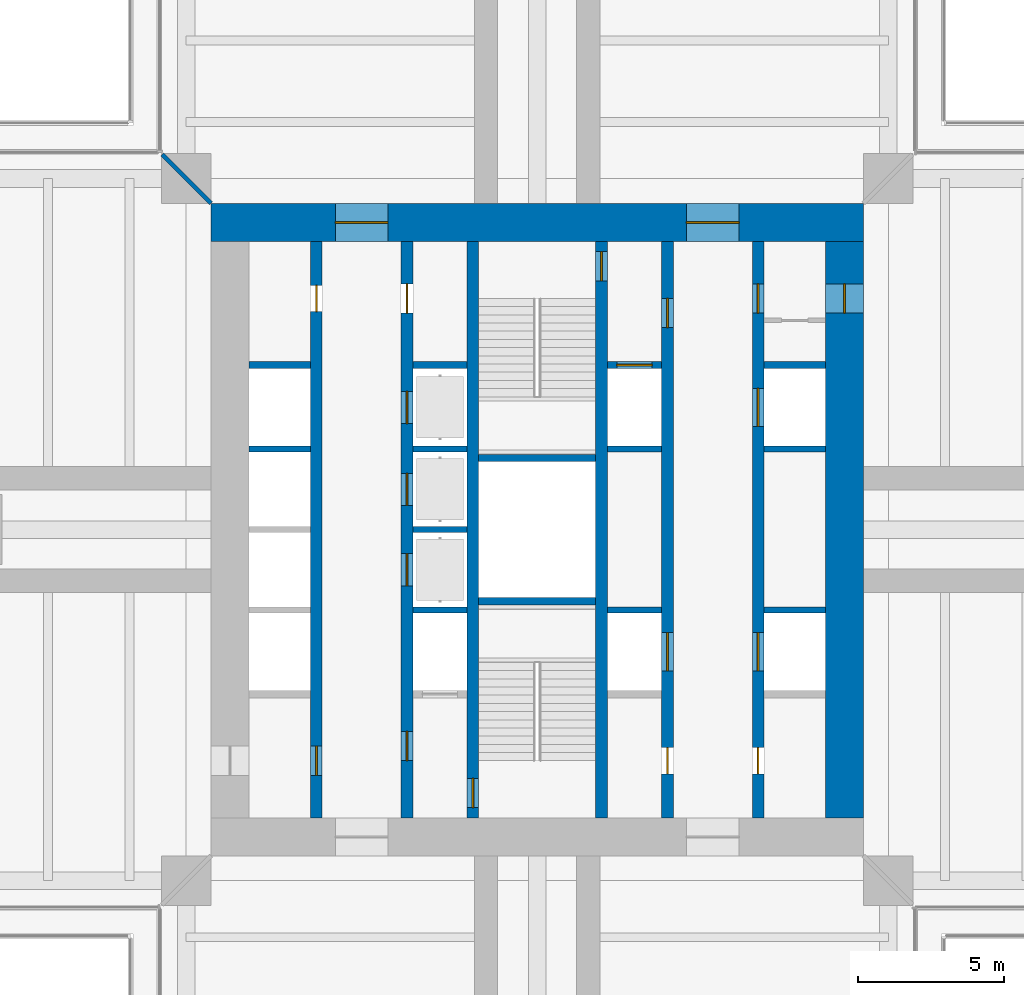
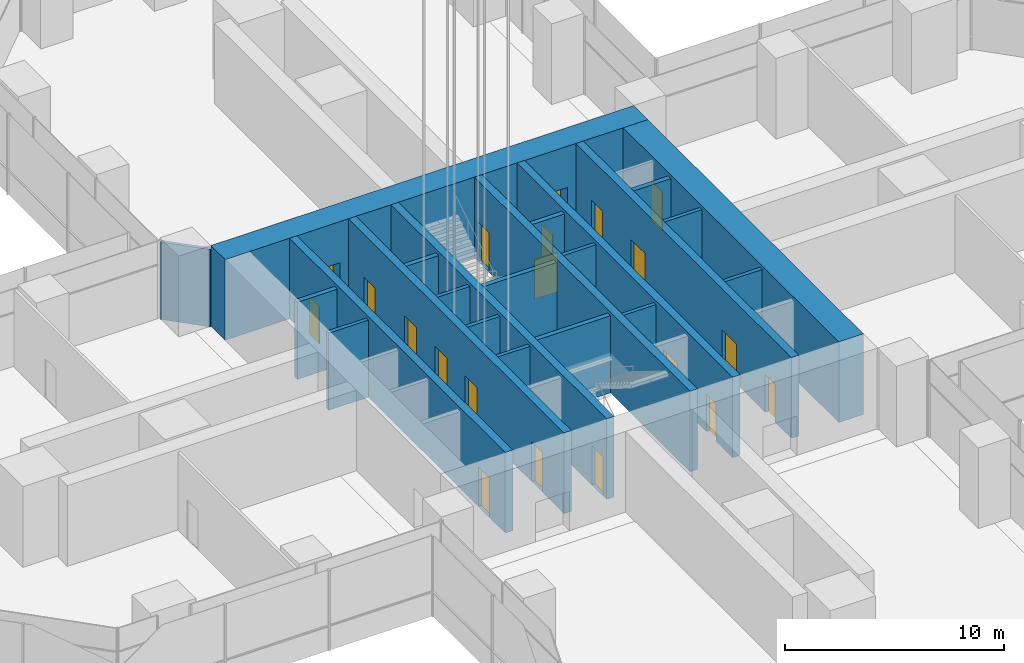
# One storey, part 17 of 27: 23 walls, 20 doors, 20 openings.
"""IFC4 building model written with IfcOpenShell, lengths in metres."""

from ifc_helpers import new_model, si_unit, direction, frame, frame_2d, origin, place, context, subcontext, project, spatial, rectangle, extrude, material, layer, layer_set, type_object, element, fill, save


model = new_model("IFC4")

# Units and contexts
model_context = context("Model", 3, precision=1e-05, world=origin(), true_north=direction((0.0, 1.0)))
body_context = subcontext(model_context, "Body", "Model", "MODEL_VIEW")
ifc_project = project(units=[si_unit("LENGTHUNIT", "METRE"), si_unit("AREAUNIT", "SQUARE_METRE"), si_unit("VOLUMEUNIT", "CUBIC_METRE"), si_unit("PLANEANGLEUNIT", "RADIAN"), si_unit("MASSUNIT", "GRAM", prefix="KILO")], contexts=[model_context])

# Site, building, storey
site_placement = place(None, origin())
site = spatial("IfcSite", under=ifc_project, at=site_placement, CompositionType="ELEMENT")
building_placement = place(site_placement, origin())
building = spatial("IfcBuilding", under=site, at=building_placement, Name="Mizan Broadcast Tower", CompositionType="ELEMENT")
storey_placement = place(building_placement, frame((0.0, 0.0, 113.699951171875)))
storey = spatial("IfcBuildingStorey", under=building, at=storey_placement, Name="L25", CompositionType="ELEMENT", Elevation=113.699951171875)

# Wall, openings, doors
ifc_material_1 = material(Name="Concrete C70/85", Category="concrete")
ifc_layer_1 = layer(ifc_material_1, 0.39990234375)
ifc_layer_set_1 = layer_set([ifc_layer_1], Name="Concrete C70/85")
wall_type_1 = type_object("IfcWallType", Name="CORE INTERNAL WALL 400", PredefinedType="SHEAR", material=ifc_layer_set_1)
wall_1_placement = place(storey_placement, frame((-7.550048828125, -9.85009765625, 0.0), z_axis=(0.0, 0.0, 1.0), x_axis=(0.0, 1.0, 0.0)))
wall_1 = element("IfcWall", 1, at=wall_1_placement, inside=storey, type_object=wall_type_1, Name="Core wall CORE/XW1", PredefinedType="SHEAR", context=body_context, shape_type="SweptSolid", body=[
    extrude(rectangle(XDim=19.7001953125, YDim=0.39990234375, at=frame_2d((9.85009765625, 0.0))), origin(), (0.0, 0.0, 1.0), 4.5),
])
opening_1_placement = place(wall_1_placement, frame((1.449951171875, 0.0, 0.0)))
opening_1 = element("IfcOpeningElement", 2, at=opening_1_placement, cuts=wall_1, Name="Opening D10F", PredefinedType="OPENING", context=body_context, shape_type="SweptSolid", body=[
    extrude(rectangle(XDim=1.0, YDim=2.199951171875, at=frame_2d((0.5, 1.10009765625))), frame((0.0, 0.2099609375, 0.0), z_axis=(0.0, -1.0, 0.0), x_axis=(1.0, 0.0, 0.0)), (0.0, 0.0, 1.0), 0.419921875),
])
opening_2_placement = place(wall_1_placement, frame((17.300048828125, 0.0, 0.0)))
opening_2 = element("IfcOpeningElement", 3, at=opening_2_placement, cuts=wall_1, Name="Opening D09", PredefinedType="OPENING", context=body_context, shape_type="SweptSolid", body=[
    extrude(rectangle(XDim=0.89990234375, YDim=2.10009765625, at=frame_2d((0.449951171875, 1.050048828125))), frame((0.0, 0.2099609375, 0.0), z_axis=(0.0, -1.0, 0.0), x_axis=(1.0, 0.0, 0.0)), (0.0, 0.0, 1.0), 0.419921875),
])
ifc_material_2 = material(Name="Steel door leaf in steel frame", Category="steel")
door_type_1 = type_object("IfcDoorType", Name="FIRE DOOR 1000 FD90", OperationType="SINGLE_SWING_LEFT", PredefinedType="DOOR", material=ifc_material_2)
door_1_placement = place(opening_1_placement, origin())
door_1 = element("IfcDoor", 4, at=door_1_placement, inside=storey, type_object=door_type_1, Name="West core passage door", OperationType="SINGLE_SWING_LEFT", OverallHeight=2.199951171875, OverallWidth=1.0, PredefinedType="DOOR", context=body_context, shape_type="SweptSolid", body=[
    extrude(rectangle(XDim=1.0, YDim=2.199951171875, at=frame_2d((0.5, 1.10009765625))), frame((0.0, 0.02490234375, 0.0), z_axis=(0.0, -1.0, 0.0), x_axis=(1.0, 0.0, 0.0)), (0.0, 0.0, 1.0), 0.050048828125),
])
fill(opening_1, door_1)
ifc_material_3 = material(Name="Timber door leaf in aluminium frame", Category="wood")
door_type_2 = type_object("IfcDoorType", Name="TOILET DOOR 900", OperationType="SINGLE_SWING_LEFT", PredefinedType="DOOR", material=ifc_material_3)
door_2_placement = place(opening_2_placement, origin())
door_2 = element("IfcDoor", 5, at=door_2_placement, inside=storey, type_object=door_type_2, Name="Male WC door", OperationType="SINGLE_SWING_RIGHT", OverallHeight=2.10009765625, OverallWidth=0.89990234375, PredefinedType="DOOR", context=body_context, shape_type="SweptSolid", body=[
    extrude(rectangle(XDim=0.89990234375, YDim=2.10009765625, at=frame_2d((0.449951171875, 1.050048828125))), frame((0.0, 0.02490234375, 0.0), z_axis=(0.0, -1.0, 0.0), x_axis=(1.0, 0.0, 0.0)), (0.0, 0.0, 1.0), 0.050048828125),
])
fill(opening_2, door_2)

wall_2_placement = place(storey_placement, frame((7.550048828125, 9.85009765625, 0.0), z_axis=(0.0, 0.0, 1.0), x_axis=(0.0, -1.0, 0.0)))
wall_2 = element("IfcWall", 6, at=wall_2_placement, inside=storey, type_object=wall_type_1, Name="Core wall CORE/XW1E", PredefinedType="SHEAR", context=body_context, shape_type="SweptSolid", body=[
    extrude(rectangle(XDim=19.7001953125, YDim=0.39990234375, at=frame_2d((9.85009765625, 0.0))), origin(), (0.0, 0.0, 1.0), 4.5),
])
opening_3_placement = place(wall_2_placement, frame((1.449951171875, 0.0, 0.0)))
opening_3 = element("IfcOpeningElement", 7, at=opening_3_placement, cuts=wall_2, Name="Opening D10F", PredefinedType="OPENING", context=body_context, shape_type="SweptSolid", body=[
    extrude(rectangle(XDim=1.0, YDim=2.199951171875, at=frame_2d((0.5, 1.10009765625))), frame((0.0, 0.2099609375, 0.0), z_axis=(0.0, -1.0, 0.0), x_axis=(1.0, 0.0, 0.0)), (0.0, 0.0, 1.0), 0.419921875),
])
opening_4_placement = place(wall_2_placement, frame((17.300048828125, 0.0, 0.0)))
opening_4 = element("IfcOpeningElement", 8, at=opening_4_placement, cuts=wall_2, Name="Opening D09", PredefinedType="OPENING", context=body_context, shape_type="SweptSolid", body=[
    extrude(rectangle(XDim=0.89990234375, YDim=2.10009765625, at=frame_2d((0.449951171875, 1.050048828125))), frame((0.0, 0.2099609375, 0.0), z_axis=(0.0, -1.0, 0.0), x_axis=(1.0, 0.0, 0.0)), (0.0, 0.0, 1.0), 0.419921875),
])
opening_5_placement = place(wall_2_placement, frame((5.02490234375, 0.0, 0.0)))
opening_5 = element("IfcOpeningElement", 9, at=opening_5_placement, cuts=wall_2, Name="Opening LDS", PredefinedType="OPENING", context=body_context, shape_type="SweptSolid", body=[
    extrude(rectangle(XDim=1.300048828125, YDim=2.199951171875, at=frame_2d((0.64990234375, 1.10009765625))), frame((0.0, 0.2099609375, 0.0), z_axis=(0.0, -1.0, 0.0), x_axis=(1.0, 0.0, 0.0)), (0.0, 0.0, 1.0), 0.419921875),
])
opening_6_placement = place(wall_2_placement, frame((13.375, 0.0, 0.0)))
opening_6 = element("IfcOpeningElement", 10, at=opening_6_placement, cuts=wall_2, Name="Opening LDS", PredefinedType="OPENING", context=body_context, shape_type="SweptSolid", body=[
    extrude(rectangle(XDim=1.300048828125, YDim=2.199951171875, at=frame_2d((0.64990234375, 1.10009765625))), frame((0.0, 0.2099609375, 0.0), z_axis=(0.0, -1.0, 0.0), x_axis=(1.0, 0.0, 0.0)), (0.0, 0.0, 1.0), 0.419921875),
])
door_3_placement = place(opening_3_placement, origin())
door_3 = element("IfcDoor", 11, at=door_3_placement, inside=storey, type_object=door_type_1, Name="East core passage door", OperationType="SINGLE_SWING_LEFT", OverallHeight=2.199951171875, OverallWidth=1.0, PredefinedType="DOOR", context=body_context, shape_type="SweptSolid", body=[
    extrude(rectangle(XDim=1.0, YDim=2.199951171875, at=frame_2d((0.5, 1.10009765625))), frame((0.0, 0.02490234375, 0.0), z_axis=(0.0, -1.0, 0.0), x_axis=(1.0, 0.0, 0.0)), (0.0, 0.0, 1.0), 0.050048828125),
])
fill(opening_3, door_3)
ifc_material_4 = material(Name="Steel door leaf in steel frame", Category="steel")
door_type_3 = type_object("IfcDoorType", Name="SHUTTLE LIFT LANDING DOOR 1300", OperationType="SLIDING_TO_LEFT", PredefinedType="DOOR", material=ifc_material_4)
door_4_placement = place(opening_5_placement, origin())
door_4 = element("IfcDoor", 12, at=door_4_placement, inside=storey, type_object=door_type_3, Name="Landing door SH1", OperationType="SLIDING_TO_LEFT", OverallHeight=2.199951171875, OverallWidth=1.300048828125, PredefinedType="DOOR", context=body_context, shape_type="SweptSolid", body=[
    extrude(rectangle(XDim=1.300048828125, YDim=2.199951171875, at=frame_2d((0.64990234375, 1.10009765625))), frame((0.0, 0.02490234375, 0.0), z_axis=(0.0, -1.0, 0.0), x_axis=(1.0, 0.0, 0.0)), (0.0, 0.0, 1.0), 0.050048828125),
])
fill(opening_5, door_4)
door_5_placement = place(opening_6_placement, origin())
door_5 = element("IfcDoor", 13, at=door_5_placement, inside=storey, type_object=door_type_3, Name="Landing door SH2", OperationType="SLIDING_TO_LEFT", OverallHeight=2.199951171875, OverallWidth=1.300048828125, PredefinedType="DOOR", context=body_context, shape_type="SweptSolid", body=[
    extrude(rectangle(XDim=1.300048828125, YDim=2.199951171875, at=frame_2d((0.64990234375, 1.10009765625))), frame((0.0, 0.02490234375, 0.0), z_axis=(0.0, -1.0, 0.0), x_axis=(1.0, 0.0, 0.0)), (0.0, 0.0, 1.0), 0.050048828125),
])
fill(opening_6, door_5)
door_6_placement = place(opening_4_placement, origin())
door_6 = element("IfcDoor", 14, at=door_6_placement, inside=storey, type_object=door_type_2, Name="Female WC door", OperationType="SINGLE_SWING_RIGHT", OverallHeight=2.10009765625, OverallWidth=0.89990234375, PredefinedType="DOOR", context=body_context, shape_type="SweptSolid", body=[
    extrude(rectangle(XDim=0.89990234375, YDim=2.10009765625, at=frame_2d((0.449951171875, 1.050048828125))), frame((0.0, 0.02490234375, 0.0), z_axis=(0.0, -1.0, 0.0), x_axis=(1.0, 0.0, 0.0)), (0.0, 0.0, 1.0), 0.050048828125),
])
fill(opening_4, door_6)

wall_3_placement = place(storey_placement, frame((-4.449951171875, -9.85009765625, 0.0), z_axis=(0.0, 0.0, 1.0), x_axis=(0.0, 1.0, 0.0)))
wall_3 = element("IfcWall", 15, at=wall_3_placement, inside=storey, type_object=wall_type_1, Name="Core wall CORE/XWH", PredefinedType="SHEAR", context=body_context, shape_type="SweptSolid", body=[
    extrude(rectangle(XDim=19.7001953125, YDim=0.39990234375, at=frame_2d((9.85009765625, 0.0))), origin(), (0.0, 0.0, 1.0), 4.5),
])
opening_7_placement = place(wall_3_placement, frame((1.949951171875, 0.0, 0.0)))
opening_7 = element("IfcOpeningElement", 16, at=opening_7_placement, cuts=wall_3, Name="Opening D10F", PredefinedType="OPENING", context=body_context, shape_type="SweptSolid", body=[
    extrude(rectangle(XDim=1.0, YDim=2.199951171875, at=frame_2d((0.5, 1.10009765625))), frame((0.0, 0.2099609375, 0.0), z_axis=(0.0, -1.0, 0.0), x_axis=(1.0, 0.0, 0.0)), (0.0, 0.0, 1.0), 0.419921875),
])
opening_8_placement = place(wall_3_placement, frame((17.25, 0.0, 0.0)))
opening_8 = element("IfcOpeningElement", 17, at=opening_8_placement, cuts=wall_3, Name="Opening D10A", PredefinedType="OPENING", context=body_context, shape_type="SweptSolid", body=[
    extrude(rectangle(XDim=1.0, YDim=2.10009765625, at=frame_2d((0.5, 1.050048828125))), frame((0.0, 0.2099609375, 0.0), z_axis=(0.0, -1.0, 0.0), x_axis=(1.0, 0.0, 0.0)), (0.0, 0.0, 1.0), 0.419921875),
])
opening_9_placement = place(wall_3_placement, frame((7.925048828125, 0.0, 0.0)))
opening_9 = element("IfcOpeningElement", 18, at=opening_9_placement, cuts=wall_3, Name="Opening LD", PredefinedType="OPENING", context=body_context, shape_type="SweptSolid", body=[
    extrude(rectangle(XDim=1.10009765625, YDim=2.199951171875, at=frame_2d((0.550048828125, 1.10009765625))), frame((0.0, 0.2099609375, 0.0), z_axis=(0.0, -1.0, 0.0), x_axis=(1.0, 0.0, 0.0)), (0.0, 0.0, 1.0), 0.419921875),
])
opening_10_placement = place(wall_3_placement, frame((10.675048828125, 0.0, 0.0)))
opening_10 = element("IfcOpeningElement", 19, at=opening_10_placement, cuts=wall_3, Name="Opening LD", PredefinedType="OPENING", context=body_context, shape_type="SweptSolid", body=[
    extrude(rectangle(XDim=1.10009765625, YDim=2.199951171875, at=frame_2d((0.550048828125, 1.10009765625))), frame((0.0, 0.2099609375, 0.0), z_axis=(0.0, -1.0, 0.0), x_axis=(1.0, 0.0, 0.0)), (0.0, 0.0, 1.0), 0.419921875),
])
opening_11_placement = place(wall_3_placement, frame((13.47509765625, 0.0, 0.0)))
opening_11 = element("IfcOpeningElement", 20, at=opening_11_placement, cuts=wall_3, Name="Opening LD", PredefinedType="OPENING", context=body_context, shape_type="SweptSolid", body=[
    extrude(rectangle(XDim=1.10009765625, YDim=2.199951171875, at=frame_2d((0.550048828125, 1.10009765625))), frame((0.0, 0.2099609375, 0.0), z_axis=(0.0, -1.0, 0.0), x_axis=(1.0, 0.0, 0.0)), (0.0, 0.0, 1.0), 0.419921875),
])
ifc_material_5 = material(Name="Timber door leaf in aluminium frame", Category="wood")
door_type_4 = type_object("IfcDoorType", Name="ACCESSIBLE WC DOOR 1000", OperationType="SLIDING_TO_LEFT", PredefinedType="DOOR", material=ifc_material_5)
door_7_placement = place(opening_8_placement, origin())
door_7 = element("IfcDoor", 21, at=door_7_placement, inside=storey, type_object=door_type_4, Name="Accessible WC door", OperationType="SLIDING_TO_LEFT", OverallHeight=2.10009765625, OverallWidth=1.0, PredefinedType="DOOR", context=body_context, shape_type="SweptSolid", body=[
    extrude(rectangle(XDim=1.0, YDim=2.10009765625, at=frame_2d((0.5, 1.050048828125))), frame((0.0, 0.02490234375, 0.0), z_axis=(0.0, -1.0, 0.0), x_axis=(1.0, 0.0, 0.0)), (0.0, 0.0, 1.0), 0.050048828125),
])
fill(opening_8, door_7)
door_8_placement = place(opening_7_placement, origin())
door_8 = element("IfcDoor", 22, at=door_8_placement, inside=storey, type_object=door_type_1, Name="Firefighting lobby A door", OperationType="SINGLE_SWING_LEFT", OverallHeight=2.199951171875, OverallWidth=1.0, PredefinedType="DOOR", context=body_context, shape_type="SweptSolid", body=[
    extrude(rectangle(XDim=1.0, YDim=2.199951171875, at=frame_2d((0.5, 1.10009765625))), frame((0.0, 0.02490234375, 0.0), z_axis=(0.0, -1.0, 0.0), x_axis=(1.0, 0.0, 0.0)), (0.0, 0.0, 1.0), 0.050048828125),
])
fill(opening_7, door_8)
ifc_material_6 = material(Name="Steel door leaf in steel frame", Category="steel")
door_type_5 = type_object("IfcDoorType", Name="LIFT LANDING DOOR 1100", OperationType="SLIDING_TO_LEFT", PredefinedType="DOOR", material=ifc_material_6)
door_9_placement = place(opening_9_placement, origin())
door_9 = element("IfcDoor", 23, at=door_9_placement, inside=storey, type_object=door_type_5, Name="Landing door LB1", OperationType="SLIDING_TO_LEFT", OverallHeight=2.199951171875, OverallWidth=1.10009765625, PredefinedType="DOOR", context=body_context, shape_type="SweptSolid", body=[
    extrude(rectangle(XDim=1.10009765625, YDim=2.199951171875, at=frame_2d((0.550048828125, 1.10009765625))), frame((0.0, 0.02490234375, 0.0), z_axis=(0.0, -1.0, 0.0), x_axis=(1.0, 0.0, 0.0)), (0.0, 0.0, 1.0), 0.050048828125),
])
fill(opening_9, door_9)
door_10_placement = place(opening_10_placement, origin())
door_10 = element("IfcDoor", 24, at=door_10_placement, inside=storey, type_object=door_type_5, Name="Landing door LB2", OperationType="SLIDING_TO_LEFT", OverallHeight=2.199951171875, OverallWidth=1.10009765625, PredefinedType="DOOR", context=body_context, shape_type="SweptSolid", body=[
    extrude(rectangle(XDim=1.10009765625, YDim=2.199951171875, at=frame_2d((0.550048828125, 1.10009765625))), frame((0.0, 0.02490234375, 0.0), z_axis=(0.0, -1.0, 0.0), x_axis=(1.0, 0.0, 0.0)), (0.0, 0.0, 1.0), 0.050048828125),
])
fill(opening_10, door_10)
door_11_placement = place(opening_11_placement, origin())
door_11 = element("IfcDoor", 25, at=door_11_placement, inside=storey, type_object=door_type_5, Name="Landing door LB3", OperationType="SLIDING_TO_LEFT", OverallHeight=2.199951171875, OverallWidth=1.10009765625, PredefinedType="DOOR", context=body_context, shape_type="SweptSolid", body=[
    extrude(rectangle(XDim=1.10009765625, YDim=2.199951171875, at=frame_2d((0.550048828125, 1.10009765625))), frame((0.0, 0.02490234375, 0.0), z_axis=(0.0, -1.0, 0.0), x_axis=(1.0, 0.0, 0.0)), (0.0, 0.0, 1.0), 0.050048828125),
])
fill(opening_11, door_11)

wall_4_placement = place(storey_placement, frame((4.449951171875, 9.85009765625, 0.0), z_axis=(0.0, 0.0, 1.0), x_axis=(0.0, -1.0, 0.0)))
wall_4 = element("IfcWall", 26, at=wall_4_placement, inside=storey, type_object=wall_type_1, Name="Core wall CORE/XWHE", PredefinedType="SHEAR", context=body_context, shape_type="SweptSolid", body=[
    extrude(rectangle(XDim=19.7001953125, YDim=0.39990234375, at=frame_2d((9.85009765625, 0.0))), origin(), (0.0, 0.0, 1.0), 4.5),
])
opening_12_placement = place(wall_4_placement, frame((1.949951171875, 0.0, 0.0)))
opening_12 = element("IfcOpeningElement", 27, at=opening_12_placement, cuts=wall_4, Name="Opening D10F", PredefinedType="OPENING", context=body_context, shape_type="SweptSolid", body=[
    extrude(rectangle(XDim=1.0, YDim=2.199951171875, at=frame_2d((0.5, 1.10009765625))), frame((0.0, 0.2099609375, 0.0), z_axis=(0.0, -1.0, 0.0), x_axis=(1.0, 0.0, 0.0)), (0.0, 0.0, 1.0), 0.419921875),
])
opening_13_placement = place(wall_4_placement, frame((17.300048828125, 0.0, 0.0)))
opening_13 = element("IfcOpeningElement", 28, at=opening_13_placement, cuts=wall_4, Name="Opening D09", PredefinedType="OPENING", context=body_context, shape_type="SweptSolid", body=[
    extrude(rectangle(XDim=0.89990234375, YDim=2.10009765625, at=frame_2d((0.449951171875, 1.050048828125))), frame((0.0, 0.2099609375, 0.0), z_axis=(0.0, -1.0, 0.0), x_axis=(1.0, 0.0, 0.0)), (0.0, 0.0, 1.0), 0.419921875),
])
opening_14_placement = place(wall_4_placement, frame((13.375, 0.0, 0.0)))
opening_14 = element("IfcOpeningElement", 29, at=opening_14_placement, cuts=wall_4, Name="Opening LDS", PredefinedType="OPENING", context=body_context, shape_type="SweptSolid", body=[
    extrude(rectangle(XDim=1.300048828125, YDim=2.199951171875, at=frame_2d((0.64990234375, 1.10009765625))), frame((0.0, 0.2099609375, 0.0), z_axis=(0.0, -1.0, 0.0), x_axis=(1.0, 0.0, 0.0)), (0.0, 0.0, 1.0), 0.419921875),
])
door_12_placement = place(opening_12_placement, origin())
door_12 = element("IfcDoor", 30, at=door_12_placement, inside=storey, type_object=door_type_1, Name="Firefighting lobby B door", OperationType="SINGLE_SWING_LEFT", OverallHeight=2.199951171875, OverallWidth=1.0, PredefinedType="DOOR", context=body_context, shape_type="SweptSolid", body=[
    extrude(rectangle(XDim=1.0, YDim=2.199951171875, at=frame_2d((0.5, 1.10009765625))), frame((0.0, 0.02490234375, 0.0), z_axis=(0.0, -1.0, 0.0), x_axis=(1.0, 0.0, 0.0)), (0.0, 0.0, 1.0), 0.050048828125),
])
fill(opening_12, door_12)
door_13_placement = place(opening_14_placement, origin())
door_13 = element("IfcDoor", 31, at=door_13_placement, inside=storey, type_object=door_type_3, Name="Landing door SH3", OperationType="SLIDING_TO_LEFT", OverallHeight=2.199951171875, OverallWidth=1.300048828125, PredefinedType="DOOR", context=body_context, shape_type="SweptSolid", body=[
    extrude(rectangle(XDim=1.300048828125, YDim=2.199951171875, at=frame_2d((0.64990234375, 1.10009765625))), frame((0.0, 0.02490234375, 0.0), z_axis=(0.0, -1.0, 0.0), x_axis=(1.0, 0.0, 0.0)), (0.0, 0.0, 1.0), 0.050048828125),
])
fill(opening_14, door_13)
door_14_placement = place(opening_13_placement, origin())
door_14 = element("IfcDoor", 32, at=door_14_placement, inside=storey, type_object=door_type_2, Name="Cleaner's store door", OperationType="SINGLE_SWING_RIGHT", OverallHeight=2.10009765625, OverallWidth=0.89990234375, PredefinedType="DOOR", context=body_context, shape_type="SweptSolid", body=[
    extrude(rectangle(XDim=0.89990234375, YDim=2.10009765625, at=frame_2d((0.449951171875, 1.050048828125))), frame((0.0, 0.02490234375, 0.0), z_axis=(0.0, -1.0, 0.0), x_axis=(1.0, 0.0, 0.0)), (0.0, 0.0, 1.0), 0.050048828125),
])
fill(opening_13, door_14)

# Wall, opening, door
wall_5_placement = place(storey_placement, frame((-2.199951171875, -9.85009765625, 0.0), z_axis=(0.0, 0.0, 1.0), x_axis=(0.0, 1.0, 0.0)))
wall_5 = element("IfcWall", 33, at=wall_5_placement, inside=storey, type_object=wall_type_1, Name="Core wall CORE/XW2", PredefinedType="SHEAR", context=body_context, shape_type="SweptSolid", body=[
    extrude(rectangle(XDim=19.7001953125, YDim=0.39990234375, at=frame_2d((9.85009765625, 0.0))), origin(), (0.0, 0.0, 1.0), 4.5),
])
opening_15_placement = place(wall_5_placement, frame((0.35009765625, 0.0, 0.0)))
opening_15 = element("IfcOpeningElement", 34, at=opening_15_placement, cuts=wall_5, Name="Opening D10S", PredefinedType="OPENING", context=body_context, shape_type="SweptSolid", body=[
    extrude(rectangle(XDim=1.0, YDim=2.199951171875, at=frame_2d((0.5, 1.10009765625))), frame((0.0, 0.2099609375, 0.0), z_axis=(0.0, -1.0, 0.0), x_axis=(1.0, 0.0, 0.0)), (0.0, 0.0, 1.0), 0.419921875),
])
ifc_material_7 = material(Name="Steel door leaf in steel frame", Category="steel")
door_type_6 = type_object("IfcDoorType", Name="STAIR DOOR 1000 FD90S", OperationType="SINGLE_SWING_RIGHT", PredefinedType="DOOR", material=ifc_material_7)
door_15_placement = place(opening_15_placement, origin())
door_15 = element("IfcDoor", 35, at=door_15_placement, inside=storey, type_object=door_type_6, Name="Stair A door", OperationType="SINGLE_SWING_RIGHT", OverallHeight=2.199951171875, OverallWidth=1.0, PredefinedType="DOOR", context=body_context, shape_type="SweptSolid", body=[
    extrude(rectangle(XDim=1.0, YDim=2.199951171875, at=frame_2d((0.5, 1.10009765625))), frame((0.0, 0.02490234375, 0.0), z_axis=(0.0, -1.0, 0.0), x_axis=(1.0, 0.0, 0.0)), (0.0, 0.0, 1.0), 0.050048828125),
])
fill(opening_15, door_15)

wall_6_placement = place(storey_placement, frame((2.199951171875, 9.85009765625, 0.0), z_axis=(0.0, 0.0, 1.0), x_axis=(0.0, -1.0, 0.0)))
wall_6 = element("IfcWall", 36, at=wall_6_placement, inside=storey, type_object=wall_type_1, Name="Core wall CORE/XW2E", PredefinedType="SHEAR", context=body_context, shape_type="SweptSolid", body=[
    extrude(rectangle(XDim=19.7001953125, YDim=0.39990234375, at=frame_2d((9.85009765625, 0.0))), origin(), (0.0, 0.0, 1.0), 4.5),
])
opening_16_placement = place(wall_6_placement, frame((0.35009765625, 0.0, 0.0)))
opening_16 = element("IfcOpeningElement", 37, at=opening_16_placement, cuts=wall_6, Name="Opening D10S", PredefinedType="OPENING", context=body_context, shape_type="SweptSolid", body=[
    extrude(rectangle(XDim=1.0, YDim=2.199951171875, at=frame_2d((0.5, 1.10009765625))), frame((0.0, 0.2099609375, 0.0), z_axis=(0.0, -1.0, 0.0), x_axis=(1.0, 0.0, 0.0)), (0.0, 0.0, 1.0), 0.419921875),
])
door_16_placement = place(opening_16_placement, origin())
door_16 = element("IfcDoor", 38, at=door_16_placement, inside=storey, type_object=door_type_6, Name="Stair B door", OperationType="SINGLE_SWING_RIGHT", OverallHeight=2.199951171875, OverallWidth=1.0, PredefinedType="DOOR", context=body_context, shape_type="SweptSolid", body=[
    extrude(rectangle(XDim=1.0, YDim=2.199951171875, at=frame_2d((0.5, 1.10009765625))), frame((0.0, 0.02490234375, 0.0), z_axis=(0.0, -1.0, 0.0), x_axis=(1.0, 0.0, 0.0)), (0.0, 0.0, 1.0), 0.050048828125),
])
fill(opening_16, door_16)

# Wall, openings, doors
ifc_material_8 = material(Name="Concrete C70/85", Category="concrete")
ifc_layer_2 = layer(ifc_material_8, 1.300048828125)
ifc_layer_set_2 = layer_set([ifc_layer_2], Name="Concrete C70/85")
wall_type_2 = type_object("IfcWallType", Name="CORE WALL 1300", PredefinedType="SHEAR", material=ifc_layer_set_2)
wall_7_placement = place(storey_placement, frame((-11.14990234375, 10.5, 0.0), z_axis=(0.0, 0.0, 1.0), x_axis=(1.0, 0.0, 0.0)))
wall_7 = element("IfcWall", 39, at=wall_7_placement, inside=storey, type_object=wall_type_2, Name="Core wall N L25", PredefinedType="SHEAR", context=body_context, shape_type="SweptSolid", body=[
    extrude(rectangle(XDim=22.2998046875, YDim=1.300048828125, at=frame_2d((11.14990234375, 0.0))), origin(), (0.0, 0.0, 1.0), 4.5),
])
opening_17_placement = place(wall_7_placement, frame((4.25, 0.0, 0.0)))
opening_17 = element("IfcOpeningElement", 40, at=opening_17_placement, cuts=wall_7, Name="Opening D18F", PredefinedType="OPENING", context=body_context, shape_type="SweptSolid", body=[
    extrude(rectangle(XDim=1.800048828125, YDim=2.199951171875, at=frame_2d((0.89990234375, 1.10009765625))), frame((0.0, 0.659912109375, 0.0), z_axis=(0.0, -1.0, 0.0), x_axis=(1.0, 0.0, 0.0)), (0.0, 0.0, 1.0), 1.320068359375),
])
opening_18_placement = place(wall_7_placement, frame((16.25, 0.0, 0.0)))
opening_18 = element("IfcOpeningElement", 41, at=opening_18_placement, cuts=wall_7, Name="Opening D18F", PredefinedType="OPENING", context=body_context, shape_type="SweptSolid", body=[
    extrude(rectangle(XDim=1.800048828125, YDim=2.199951171875, at=frame_2d((0.89990234375, 1.10009765625))), frame((0.0, 0.659912109375, 0.0), z_axis=(0.0, -1.0, 0.0), x_axis=(1.0, 0.0, 0.0)), (0.0, 0.0, 1.0), 1.320068359375),
])
ifc_material_9 = material(Name="Steel door leaf in steel frame", Category="steel")
door_type_7 = type_object("IfcDoorType", Name="LOBBY DOUBLE DOOR 1800 FD90", OperationType="DOUBLE_DOOR_DOUBLE_SWING", PredefinedType="DOOR", material=ifc_material_9)
door_17_placement = place(opening_17_placement, origin())
door_17 = element("IfcDoor", 42, at=door_17_placement, inside=storey, type_object=door_type_7, Name="West lift lobby north door", OperationType="DOUBLE_DOOR_DOUBLE_SWING", OverallHeight=2.199951171875, OverallWidth=1.800048828125, PredefinedType="DOOR", context=body_context, shape_type="SweptSolid", body=[
    extrude(rectangle(XDim=1.800048828125, YDim=2.199951171875, at=frame_2d((0.89990234375, 1.10009765625))), frame((0.0, 0.02490234375, 0.0), z_axis=(0.0, -1.0, 0.0), x_axis=(1.0, 0.0, 0.0)), (0.0, 0.0, 1.0), 0.050048828125),
])
fill(opening_17, door_17)
door_18_placement = place(opening_18_placement, origin())
door_18 = element("IfcDoor", 43, at=door_18_placement, inside=storey, type_object=door_type_7, Name="East lift lobby north door", OperationType="DOUBLE_DOOR_DOUBLE_SWING", OverallHeight=2.199951171875, OverallWidth=1.800048828125, PredefinedType="DOOR", context=body_context, shape_type="SweptSolid", body=[
    extrude(rectangle(XDim=1.800048828125, YDim=2.199951171875, at=frame_2d((0.89990234375, 1.10009765625))), frame((0.0, 0.02490234375, 0.0), z_axis=(0.0, -1.0, 0.0), x_axis=(1.0, 0.0, 0.0)), (0.0, 0.0, 1.0), 0.050048828125),
])
fill(opening_18, door_18)

# Wall, opening, door
wall_8_placement = place(storey_placement, frame((10.5, -9.85009765625, 0.0), z_axis=(0.0, 0.0, 1.0), x_axis=(0.0, 1.0, 0.0)))
wall_8 = element("IfcWall", 44, at=wall_8_placement, inside=storey, type_object=wall_type_2, Name="Core wall E L25", PredefinedType="SHEAR", context=body_context, shape_type="SweptSolid", body=[
    extrude(rectangle(XDim=19.7001953125, YDim=1.300048828125, at=frame_2d((9.85009765625, 0.0))), origin(), (0.0, 0.0, 1.0), 4.5),
])
opening_19_placement = place(wall_8_placement, frame((17.25, 0.0, 0.0)))
opening_19 = element("IfcOpeningElement", 45, at=opening_19_placement, cuts=wall_8, Name="Opening D10F", PredefinedType="OPENING", context=body_context, shape_type="SweptSolid", body=[
    extrude(rectangle(XDim=1.0, YDim=2.199951171875, at=frame_2d((0.5, 1.10009765625))), frame((0.0, 0.659912109375, 0.0), z_axis=(0.0, -1.0, 0.0), x_axis=(1.0, 0.0, 0.0)), (0.0, 0.0, 1.0), 1.320068359375),
])
door_19_placement = place(opening_19_placement, origin())
door_19 = element("IfcDoor", 46, at=door_19_placement, inside=storey, type_object=door_type_1, Name="East core passage arm door", OperationType="SINGLE_SWING_RIGHT", OverallHeight=2.199951171875, OverallWidth=1.0, PredefinedType="DOOR", context=body_context, shape_type="SweptSolid", body=[
    extrude(rectangle(XDim=1.0, YDim=2.199951171875, at=frame_2d((0.5, 1.10009765625))), frame((0.0, 0.02490234375, 0.0), z_axis=(0.0, -1.0, 0.0), x_axis=(1.0, 0.0, 0.0)), (0.0, 0.0, 1.0), 0.050048828125),
])
fill(opening_19, door_19)

# Walls
ifc_material_10 = material(Name="Concrete blockwork", Category="masonry")
ifc_layer_3 = layer(ifc_material_10, 0.199951171875)
ifc_layer_set_3 = layer_set([ifc_layer_3], Name="Concrete blockwork")
wall_type_3 = type_object("IfcWallType", Name="LIFT SHAFT WALL 200", PredefinedType="SOLIDWALL", material=ifc_layer_set_3)
for number, where, z_axis, x_axis, name in (
    (47, (-4.25, -2.75, 0.0), (0.0, 0.0, 1.0), (1.0, 0.0, 0.0), "Lift shaft wall CORE/SW2-1"),
    (48, (2.39990234375, -2.75, 0.0), (0.0, 0.0, 1.0), (1.0, 0.0, 0.0), "Lift shaft wall CORE/SE2-1"),
):
    element("IfcWall", number, at=place(storey_placement, frame(where, z_axis=z_axis, x_axis=x_axis)), inside=storey, type_object=wall_type_3, Name=name, PredefinedType="SOLIDWALL", context=body_context, shape_type="SweptSolid", body=[
        extrude(rectangle(XDim=1.85009765625, YDim=0.199951171875, at=frame_2d((0.925048828125, 0.0))), origin(), (0.0, 0.0, 1.0), 4.300048828125),
    ])
wall_9_placement = place(storey_placement, frame((7.75, -2.75, 0.0), z_axis=(0.0, 0.0, 1.0), x_axis=(1.0, 0.0, 0.0)))
element("IfcWall", 49, at=wall_9_placement, inside=storey, type_object=wall_type_3, Name="Lift shaft wall CORE/SE1-1", PredefinedType="SOLIDWALL", context=body_context, shape_type="SweptSolid", body=[
    extrude(rectangle(XDim=2.10009765625, YDim=0.199951171875, at=frame_2d((1.050048828125, 0.0))), origin(), (0.0, 0.0, 1.0), 4.300048828125),
])
wall_10_placement = place(storey_placement, frame((-4.25, 0.0, 0.0), z_axis=(0.0, 0.0, 1.0), x_axis=(1.0, 0.0, 0.0)))
element("IfcWall", 50, at=wall_10_placement, inside=storey, type_object=wall_type_3, Name="Lift shaft wall CORE/SW2-2", PredefinedType="SOLIDWALL", context=body_context, shape_type="SweptSolid", body=[
    extrude(rectangle(XDim=1.85009765625, YDim=0.199951171875, at=frame_2d((0.925048828125, 0.0))), origin(), (0.0, 0.0, 1.0), 4.300048828125),
])
wall_11_placement = place(storey_placement, frame((-9.85009765625, 2.75, 0.0), z_axis=(0.0, 0.0, 1.0), x_axis=(1.0, 0.0, 0.0)))
element("IfcWall", 51, at=wall_11_placement, inside=storey, type_object=wall_type_3, Name="Lift shaft wall CORE/SW1-3", PredefinedType="SOLIDWALL", context=body_context, shape_type="SweptSolid", body=[
    extrude(rectangle(XDim=2.10009765625, YDim=0.199951171875, at=frame_2d((1.050048828125, 0.0))), origin(), (0.0, 0.0, 1.0), 4.300048828125),
])
for number, where, z_axis, x_axis, name in (
    (52, (-4.25, 2.75, 0.0), (0.0, 0.0, 1.0), (1.0, 0.0, 0.0), "Lift shaft wall CORE/SW2-3"),
    (53, (2.39990234375, 2.75, 0.0), (0.0, 0.0, 1.0), (1.0, 0.0, 0.0), "Lift shaft wall CORE/SE2-3"),
):
    element("IfcWall", number, at=place(storey_placement, frame(where, z_axis=z_axis, x_axis=x_axis)), inside=storey, type_object=wall_type_3, Name=name, PredefinedType="SOLIDWALL", context=body_context, shape_type="SweptSolid", body=[
        extrude(rectangle(XDim=1.85009765625, YDim=0.199951171875, at=frame_2d((0.925048828125, 0.0))), origin(), (0.0, 0.0, 1.0), 4.300048828125),
    ])
wall_12_placement = place(storey_placement, frame((7.75, 2.75, 0.0), z_axis=(0.0, 0.0, 1.0), x_axis=(1.0, 0.0, 0.0)))
element("IfcWall", 54, at=wall_12_placement, inside=storey, type_object=wall_type_3, Name="Lift shaft wall CORE/SE1-3", PredefinedType="SOLIDWALL", context=body_context, shape_type="SweptSolid", body=[
    extrude(rectangle(XDim=2.10009765625, YDim=0.199951171875, at=frame_2d((1.050048828125, 0.0))), origin(), (0.0, 0.0, 1.0), 4.300048828125),
])
ifc_material_11 = material(Name="Concrete blockwork", Category="masonry")
ifc_layer_4 = layer(ifc_material_11, 0.25)
ifc_layer_set_4 = layer_set([ifc_layer_4], Name="Concrete blockwork")
wall_type_4 = type_object("IfcWallType", Name="LOBBY ENCLOSURE WALL 250", PredefinedType="SOLIDWALL", material=ifc_layer_set_4)
wall_13_placement = place(storey_placement, frame((-9.85009765625, 5.625, 0.0), z_axis=(0.0, 0.0, 1.0), x_axis=(1.0, 0.0, 0.0)))
element("IfcWall", 55, at=wall_13_placement, inside=storey, type_object=wall_type_4, Name="Lobby enclosure wall CORE/BW1N", PredefinedType="SOLIDWALL", context=body_context, shape_type="SweptSolid", body=[
    extrude(rectangle(XDim=2.10009765625, YDim=0.25, at=frame_2d((1.050048828125, 0.0))), origin(), (0.0, 0.0, 1.0), 4.300048828125),
])
wall_14_placement = place(storey_placement, frame((-4.25, 5.625, 0.0), z_axis=(0.0, 0.0, 1.0), x_axis=(1.0, 0.0, 0.0)))
element("IfcWall", 56, at=wall_14_placement, inside=storey, type_object=wall_type_4, Name="Lobby enclosure wall CORE/BW2N", PredefinedType="SOLIDWALL", context=body_context, shape_type="SweptSolid", body=[
    extrude(rectangle(XDim=1.85009765625, YDim=0.25, at=frame_2d((0.925048828125, 0.0))), origin(), (0.0, 0.0, 1.0), 4.300048828125),
])

# Wall, opening, door
wall_15_placement = place(storey_placement, frame((2.39990234375, 5.625, 0.0), z_axis=(0.0, 0.0, 1.0), x_axis=(1.0, 0.0, 0.0)))
wall_15 = element("IfcWall", 57, at=wall_15_placement, inside=storey, type_object=wall_type_4, Name="Lobby enclosure wall CORE/BE2N", PredefinedType="SOLIDWALL", context=body_context, shape_type="SweptSolid", body=[
    extrude(rectangle(XDim=1.85009765625, YDim=0.25, at=frame_2d((0.925048828125, 0.0))), origin(), (0.0, 0.0, 1.0), 4.300048828125),
])
opening_20_placement = place(wall_15_placement, frame((0.324951171875, 0.0, 0.0)))
opening_20 = element("IfcOpeningElement", 58, at=opening_20_placement, cuts=wall_15, Name="Opening LDF", PredefinedType="OPENING", context=body_context, shape_type="SweptSolid", body=[
    extrude(rectangle(XDim=1.199951171875, YDim=2.199951171875, at=frame_2d((0.60009765625, 1.10009765625))), frame((0.0, 0.135009765625, 0.0), z_axis=(0.0, -1.0, 0.0), x_axis=(1.0, 0.0, 0.0)), (0.0, 0.0, 1.0), 0.27001953125),
])
ifc_material_12 = material(Name="Steel door leaf in steel frame", Category="steel")
door_type_8 = type_object("IfcDoorType", Name="FIREFIGHTING LIFT LANDING DOOR 1200", OperationType="SLIDING_TO_LEFT", PredefinedType="DOOR", material=ifc_material_12)
door_20_placement = place(opening_20_placement, origin())
door_20 = element("IfcDoor", 59, at=door_20_placement, inside=storey, type_object=door_type_8, Name="Landing door FF2", OperationType="SLIDING_TO_LEFT", OverallHeight=2.199951171875, OverallWidth=1.199951171875, PredefinedType="DOOR", context=body_context, shape_type="SweptSolid", body=[
    extrude(rectangle(XDim=1.199951171875, YDim=2.199951171875, at=frame_2d((0.60009765625, 1.10009765625))), frame((0.0, 0.02490234375, 0.0), z_axis=(0.0, -1.0, 0.0), x_axis=(1.0, 0.0, 0.0)), (0.0, 0.0, 1.0), 0.050048828125),
])
fill(opening_20, door_20)

# Walls
wall_16_placement = place(storey_placement, frame((7.75, 5.625, 0.0), z_axis=(0.0, 0.0, 1.0), x_axis=(1.0, 0.0, 0.0)))
element("IfcWall", 60, at=wall_16_placement, inside=storey, type_object=wall_type_4, Name="Lobby enclosure wall CORE/BE1N", PredefinedType="SOLIDWALL", context=body_context, shape_type="SweptSolid", body=[
    extrude(rectangle(XDim=2.10009765625, YDim=0.25, at=frame_2d((1.050048828125, 0.0))), origin(), (0.0, 0.0, 1.0), 4.300048828125),
])
for number, where, z_axis, x_axis, name in (
    (61, (-2.0, -2.449951171875, 0.0), (0.0, 0.0, 1.0), (1.0, 0.0, 0.0), "Lobby enclosure wall CORE/STA"),
    (62, (-2.0, 2.449951171875, 0.0), (0.0, 0.0, 1.0), (1.0, 0.0, 0.0), "Lobby enclosure wall CORE/STB"),
):
    element("IfcWall", number, at=place(storey_placement, frame(where, z_axis=z_axis, x_axis=x_axis)), inside=storey, type_object=wall_type_4, Name=name, PredefinedType="SOLIDWALL", context=body_context, shape_type="SweptSolid", body=[
        extrude(rectangle(XDim=4.0, YDim=0.25, at=frame_2d((2.0, 0.0))), origin(), (0.0, 0.0, 1.0), 4.300048828125),
    ])
ifc_material_13 = material(Name="Gypsum board on steel studs", Category="steel")
ifc_layer_5 = layer(ifc_material_13, 0.14990234375)
ifc_layer_set_5 = layer_set([ifc_layer_5], Name="Gypsum board on steel studs")
wall_type_5 = type_object("IfcWallType", Name="PARTITION 150", PredefinedType="PARTITIONING", material=ifc_layer_set_5)
wall_17_placement = place(storey_placement, frame((-11.14990234375, 11.14990234375, 0.0), z_axis=(0.0, 0.0, 1.0), x_axis=(-0.707106781187, 0.707106781187, 0.0)))
element("IfcWall", 63, at=wall_17_placement, inside=storey, type_object=wall_type_5, Name="Partition PT/DGWN", PredefinedType="PARTITIONING", context=body_context, shape_type="SweptSolid", body=[
    extrude(rectangle(XDim=2.362060546875, YDim=0.14990234375, at=frame_2d((1.18115234375, 0.0))), origin(), (0.0, 0.0, 1.0), 4.320068359375),
])

save(model, "model.ifc")
